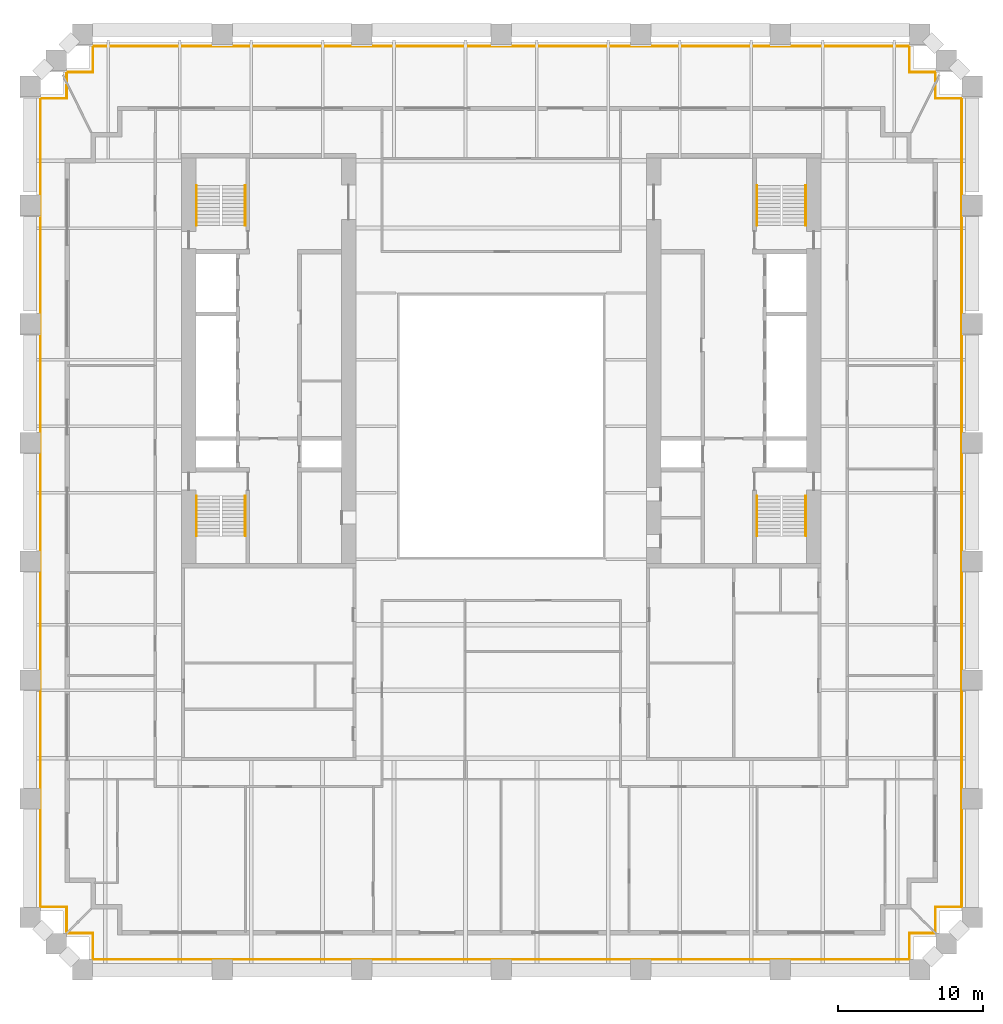
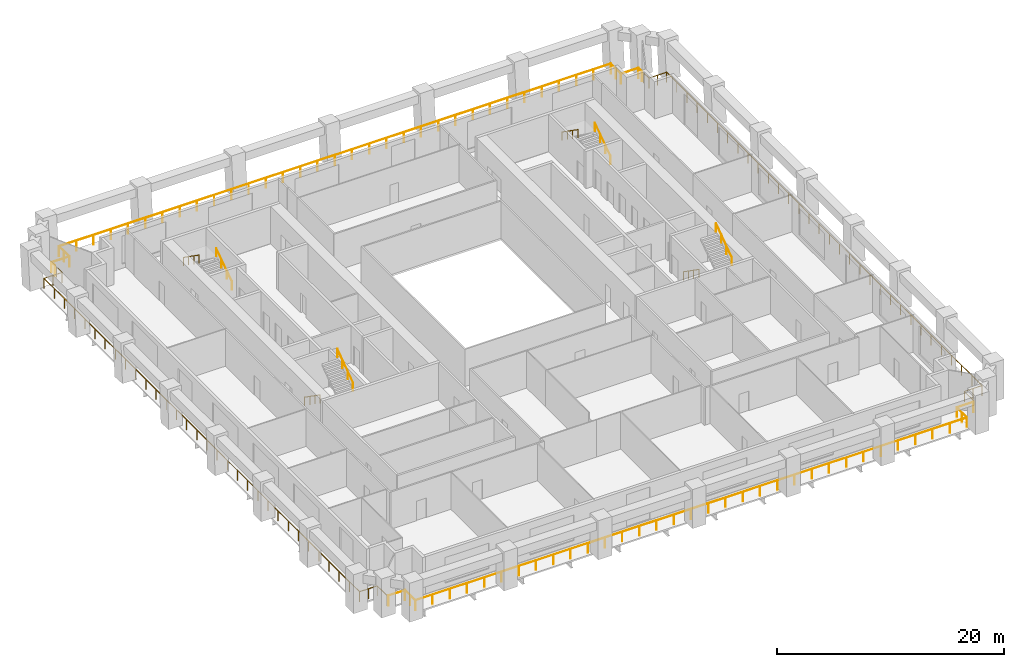
# One storey, part 9 of 9: 12 railings.
"""IFC4 building model written with IfcOpenShell, lengths in metres."""

from ifc_helpers import new_model, si_unit, direction, frame, origin, origin_2d, place, context, subcontext, project, spatial, circle, extrude, material, type_object, element, save


model = new_model("IFC4")

# Units and contexts
model_context = context("Model", 3, precision=1e-05, world=origin(), true_north=direction((0.0, 1.0)))
body_context = subcontext(model_context, "Body", "Model", "MODEL_VIEW")
ifc_project = project(units=[si_unit("LENGTHUNIT", "METRE"), si_unit("AREAUNIT", "SQUARE_METRE"), si_unit("VOLUMEUNIT", "CUBIC_METRE"), si_unit("PLANEANGLEUNIT", "RADIAN"), si_unit("MASSUNIT", "GRAM", prefix="KILO")], contexts=[model_context])

# Site, building, storey
site_placement = place(None, origin())
site = spatial("IfcSite", under=ifc_project, at=site_placement, CompositionType="ELEMENT")
building_placement = place(site_placement, origin())
building = spatial("IfcBuilding", under=site, at=building_placement, Name="Ogive Exchange Tower", CompositionType="ELEMENT")
storey_placement = place(building_placement, frame((0.0, 0.0, 60.60009765625)))
storey = spatial("IfcBuildingStorey", under=building, at=storey_placement, Name="L12", CompositionType="ELEMENT", Elevation=60.60009765625)

# Railings
ifc_material_1 = material(Name="Stainless steel 316", Category="steel")
railing_type_1 = type_object("IfcRailingType", Name="Guard 1100 stainless steel and glass", PredefinedType="GUARDRAIL", material=ifc_material_1)
railing_1_placement = place(storey_placement, frame((29.7880859375, -27.8798828125, -0.050048828125)))
element("IfcRailing", 1, at=railing_1_placement, inside=storey, type_object=railing_type_1, Name="Loggia guard 1", PredefinedType="GUARDRAIL", context=body_context, shape_type="SweptSolid", body=[
    extrude(circle(Radius=0.02392578125, at=origin_2d()), frame((0.0, 0.0, 1.076171875), z_axis=(-1.0, 0.0, 0.0), x_axis=(0.0, -1.0, 0.0)), (0.0, 0.0, 1.0), 1.7080078125),
    extrude(circle(Radius=0.02392578125, at=origin_2d()), frame((-1.7080078125, 0.0, 1.076171875), z_axis=(0.0, -1.0, 0.0), x_axis=(1.0, 0.0, 0.0)), (0.0, 0.0, 1.0), 1.800048828125),
    extrude(circle(Radius=0.02392578125, at=origin_2d()), frame((-1.7080078125, -1.800048828125, 1.076171875), z_axis=(-1.0, 0.0, 0.0), x_axis=(0.0, -1.0, 0.0)), (0.0, 0.0, 1.0), 56.16015625),
    extrude(circle(Radius=0.02392578125, at=origin_2d()), frame((-57.8681640625, -1.800048828125, 1.076171875), z_axis=(0.0, 1.0, 0.0), x_axis=(-1.0, 0.0, 0.0)), (0.0, 0.0, 1.0), 1.800048828125),
    extrude(circle(Radius=0.02392578125, at=origin_2d()), frame((-57.8681640625, 0.0, 1.076171875), z_axis=(-1.0, 0.0, 0.0), x_axis=(0.0, -1.0, 0.0)), (0.0, 0.0, 1.0), 1.7080078125),
    extrude(circle(Radius=0.02099609375, at=origin_2d()), origin(), (0.0, 0.0, 1.0), 1.052001953125),
    extrude(circle(Radius=0.02099609375, at=origin_2d()), frame((-1.7080078125, 0.0, 0.0)), (0.0, 0.0, 1.0), 1.052001953125),
    extrude(circle(Radius=0.02099609375, at=origin_2d()), frame((-1.7080078125, -0.89990234375, 0.0)), (0.0, 0.0, 1.0), 1.052001953125),
    extrude(circle(Radius=0.02099609375, at=origin_2d()), frame((-1.7080078125, -1.800048828125, 0.0)), (0.0, 0.0, 1.0), 1.052001953125),
    extrude(circle(Radius=0.02099609375, at=origin_2d()), frame((-3.462890625, -1.800048828125, 0.0)), (0.0, 0.0, 1.0), 1.052001953125),
    extrude(circle(Radius=0.02099609375, at=origin_2d()), frame((-5.218017578125, -1.800048828125, 0.0)), (0.0, 0.0, 1.0), 1.052001953125),
    extrude(circle(Radius=0.02099609375, at=origin_2d()), frame((-6.97314453125, -1.800048828125, 0.0)), (0.0, 0.0, 1.0), 1.052001953125),
    extrude(circle(Radius=0.02099609375, at=origin_2d()), frame((-8.72802734375, -1.800048828125, 0.0)), (0.0, 0.0, 1.0), 1.052001953125),
    extrude(circle(Radius=0.02099609375, at=origin_2d()), frame((-10.48291015625, -1.800048828125, 0.0)), (0.0, 0.0, 1.0), 1.052001953125),
    extrude(circle(Radius=0.02099609375, at=origin_2d()), frame((-12.238037109375, -1.800048828125, 0.0)), (0.0, 0.0, 1.0), 1.052001953125),
    extrude(circle(Radius=0.02099609375, at=origin_2d()), frame((-13.9931640625, -1.800048828125, 0.0)), (0.0, 0.0, 1.0), 1.052001953125),
    extrude(circle(Radius=0.02099609375, at=origin_2d()), frame((-15.748046875, -1.800048828125, 0.0)), (0.0, 0.0, 1.0), 1.052001953125),
    extrude(circle(Radius=0.02099609375, at=origin_2d()), frame((-17.5029296875, -1.800048828125, 0.0)), (0.0, 0.0, 1.0), 1.052001953125),
    extrude(circle(Radius=0.02099609375, at=origin_2d()), frame((-19.258056640625, -1.800048828125, 0.0)), (0.0, 0.0, 1.0), 1.052001953125),
    extrude(circle(Radius=0.02099609375, at=origin_2d()), frame((-21.01318359375, -1.800048828125, 0.0)), (0.0, 0.0, 1.0), 1.052001953125),
    extrude(circle(Radius=0.02099609375, at=origin_2d()), frame((-22.76806640625, -1.800048828125, 0.0)), (0.0, 0.0, 1.0), 1.052001953125),
    extrude(circle(Radius=0.02099609375, at=origin_2d()), frame((-24.52294921875, -1.800048828125, 0.0)), (0.0, 0.0, 1.0), 1.052001953125),
    extrude(circle(Radius=0.02099609375, at=origin_2d()), frame((-26.278076171875, -1.800048828125, 0.0)), (0.0, 0.0, 1.0), 1.052001953125),
    extrude(circle(Radius=0.02099609375, at=origin_2d()), frame((-28.033203125, -1.800048828125, 0.0)), (0.0, 0.0, 1.0), 1.052001953125),
    extrude(circle(Radius=0.02099609375, at=origin_2d()), frame((-29.7880859375, -1.800048828125, 0.0)), (0.0, 0.0, 1.0), 1.052001953125),
    extrude(circle(Radius=0.02099609375, at=origin_2d()), frame((-31.54296875, -1.800048828125, 0.0)), (0.0, 0.0, 1.0), 1.052001953125),
    extrude(circle(Radius=0.02099609375, at=origin_2d()), frame((-33.298095703125, -1.800048828125, 0.0)), (0.0, 0.0, 1.0), 1.052001953125),
    extrude(circle(Radius=0.02099609375, at=origin_2d()), frame((-35.05322265625, -1.800048828125, 0.0)), (0.0, 0.0, 1.0), 1.052001953125),
    extrude(circle(Radius=0.02099609375, at=origin_2d()), frame((-36.80810546875, -1.800048828125, 0.0)), (0.0, 0.0, 1.0), 1.052001953125),
    extrude(circle(Radius=0.02099609375, at=origin_2d()), frame((-38.56298828125, -1.800048828125, 0.0)), (0.0, 0.0, 1.0), 1.052001953125),
    extrude(circle(Radius=0.02099609375, at=origin_2d()), frame((-40.318115234375, -1.800048828125, 0.0)), (0.0, 0.0, 1.0), 1.052001953125),
    extrude(circle(Radius=0.02099609375, at=origin_2d()), frame((-42.0732421875, -1.800048828125, 0.0)), (0.0, 0.0, 1.0), 1.052001953125),
    extrude(circle(Radius=0.02099609375, at=origin_2d()), frame((-43.828125, -1.800048828125, 0.0)), (0.0, 0.0, 1.0), 1.052001953125),
    extrude(circle(Radius=0.02099609375, at=origin_2d()), frame((-45.5830078125, -1.800048828125, 0.0)), (0.0, 0.0, 1.0), 1.052001953125),
    extrude(circle(Radius=0.02099609375, at=origin_2d()), frame((-47.338134765625, -1.800048828125, 0.0)), (0.0, 0.0, 1.0), 1.052001953125),
    extrude(circle(Radius=0.02099609375, at=origin_2d()), frame((-49.09326171875, -1.800048828125, 0.0)), (0.0, 0.0, 1.0), 1.052001953125),
    extrude(circle(Radius=0.02099609375, at=origin_2d()), frame((-50.84814453125, -1.800048828125, 0.0)), (0.0, 0.0, 1.0), 1.052001953125),
    extrude(circle(Radius=0.02099609375, at=origin_2d()), frame((-52.60302734375, -1.800048828125, 0.0)), (0.0, 0.0, 1.0), 1.052001953125),
    extrude(circle(Radius=0.02099609375, at=origin_2d()), frame((-54.358154296875, -1.800048828125, 0.0)), (0.0, 0.0, 1.0), 1.052001953125),
    extrude(circle(Radius=0.02099609375, at=origin_2d()), frame((-56.11328125, -1.800048828125, 0.0)), (0.0, 0.0, 1.0), 1.052001953125),
    extrude(circle(Radius=0.02099609375, at=origin_2d()), frame((-57.8681640625, -1.800048828125, 0.0)), (0.0, 0.0, 1.0), 1.052001953125),
    extrude(circle(Radius=0.02099609375, at=origin_2d()), frame((-57.8681640625, -0.89990234375, 0.0)), (0.0, 0.0, 1.0), 1.052001953125),
    extrude(circle(Radius=0.02099609375, at=origin_2d()), frame((-57.8681640625, 0.0, 0.0)), (0.0, 0.0, 1.0), 1.052001953125),
    extrude(circle(Radius=0.02099609375, at=origin_2d()), frame((-59.576171875, 0.0, 0.0)), (0.0, 0.0, 1.0), 1.052001953125),
])
railing_2_placement = place(storey_placement, frame((-29.8798828125, -27.7880859375, -0.050048828125)))
element("IfcRailing", 2, at=railing_2_placement, inside=storey, type_object=railing_type_1, Name="Loggia guard 2", PredefinedType="GUARDRAIL", context=body_context, shape_type="SweptSolid", body=[
    extrude(circle(Radius=0.02392578125, at=origin_2d()), frame((0.0, 0.0, 1.076171875), z_axis=(0.0, 1.0, 0.0), x_axis=(-1.0, 0.0, 0.0)), (0.0, 0.0, 1.0), 1.7080078125),
    extrude(circle(Radius=0.02392578125, at=origin_2d()), frame((0.0, 1.7080078125, 1.076171875), z_axis=(-1.0, 0.0, 0.0), x_axis=(0.0, -1.0, 0.0)), (0.0, 0.0, 1.0), 1.800048828125),
    extrude(circle(Radius=0.02392578125, at=origin_2d()), frame((-1.800048828125, 1.7080078125, 1.076171875), z_axis=(0.0, 1.0, 0.0), x_axis=(-1.0, 0.0, 0.0)), (0.0, 0.0, 1.0), 55.614501953125),
    extrude(circle(Radius=0.02392578125, at=origin_2d()), frame((-1.800048828125, 57.322509765625, 1.076171875), z_axis=(1.0, 0.0, 0.0), x_axis=(0.0, 1.0, 0.0)), (0.0, 0.0, 1.0), 1.800048828125),
    extrude(circle(Radius=0.02392578125, at=origin_2d()), frame((0.0, 57.322509765625, 1.076171875), z_axis=(0.0, 1.0, 0.0), x_axis=(-1.0, 0.0, 0.0)), (0.0, 0.0, 1.0), 0.9169921875),
    extrude(circle(Radius=0.02099609375, at=origin_2d()), origin(), (0.0, 0.0, 1.0), 1.052001953125),
    extrude(circle(Radius=0.02099609375, at=origin_2d()), frame((0.0, 1.7080078125, 0.0)), (0.0, 0.0, 1.0), 1.052001953125),
    extrude(circle(Radius=0.02099609375, at=origin_2d()), frame((-0.89990234375, 1.7080078125, 0.0)), (0.0, 0.0, 1.0), 1.052001953125),
    extrude(circle(Radius=0.02099609375, at=origin_2d()), frame((-1.800048828125, 1.7080078125, 0.0)), (0.0, 0.0, 1.0), 1.052001953125),
    extrude(circle(Radius=0.02099609375, at=origin_2d()), frame((-1.800048828125, 3.501953125, 0.0)), (0.0, 0.0, 1.0), 1.052001953125),
    extrude(circle(Radius=0.02099609375, at=origin_2d()), frame((-1.800048828125, 5.296142578125, 0.0)), (0.0, 0.0, 1.0), 1.052001953125),
    extrude(circle(Radius=0.02099609375, at=origin_2d()), frame((-1.800048828125, 7.090087890625, 0.0)), (0.0, 0.0, 1.0), 1.052001953125),
    extrude(circle(Radius=0.02099609375, at=origin_2d()), frame((-1.800048828125, 8.884033203125, 0.0)), (0.0, 0.0, 1.0), 1.052001953125),
    extrude(circle(Radius=0.02099609375, at=origin_2d()), frame((-1.800048828125, 10.677978515625, 0.0)), (0.0, 0.0, 1.0), 1.052001953125),
    extrude(circle(Radius=0.02099609375, at=origin_2d()), frame((-1.800048828125, 12.47216796875, 0.0)), (0.0, 0.0, 1.0), 1.052001953125),
    extrude(circle(Radius=0.02099609375, at=origin_2d()), frame((-1.800048828125, 14.26611328125, 0.0)), (0.0, 0.0, 1.0), 1.052001953125),
    extrude(circle(Radius=0.02099609375, at=origin_2d()), frame((-1.800048828125, 16.06005859375, 0.0)), (0.0, 0.0, 1.0), 1.052001953125),
    extrude(circle(Radius=0.02099609375, at=origin_2d()), frame((-1.800048828125, 17.854248046875, 0.0)), (0.0, 0.0, 1.0), 1.052001953125),
    extrude(circle(Radius=0.02099609375, at=origin_2d()), frame((-1.800048828125, 19.648193359375, 0.0)), (0.0, 0.0, 1.0), 1.052001953125),
    extrude(circle(Radius=0.02099609375, at=origin_2d()), frame((-1.800048828125, 21.442138671875, 0.0)), (0.0, 0.0, 1.0), 1.052001953125),
    extrude(circle(Radius=0.02099609375, at=origin_2d()), frame((-1.800048828125, 23.236083984375, 0.0)), (0.0, 0.0, 1.0), 1.052001953125),
    extrude(circle(Radius=0.02099609375, at=origin_2d()), frame((-1.800048828125, 25.0302734375, 0.0)), (0.0, 0.0, 1.0), 1.052001953125),
    extrude(circle(Radius=0.02099609375, at=origin_2d()), frame((-1.800048828125, 26.82421875, 0.0)), (0.0, 0.0, 1.0), 1.052001953125),
    extrude(circle(Radius=0.02099609375, at=origin_2d()), frame((-1.800048828125, 28.6181640625, 0.0)), (0.0, 0.0, 1.0), 1.052001953125),
    extrude(circle(Radius=0.02099609375, at=origin_2d()), frame((-1.800048828125, 30.412353515625, 0.0)), (0.0, 0.0, 1.0), 1.052001953125),
    extrude(circle(Radius=0.02099609375, at=origin_2d()), frame((-1.800048828125, 32.206298828125, 0.0)), (0.0, 0.0, 1.0), 1.052001953125),
    extrude(circle(Radius=0.02099609375, at=origin_2d()), frame((-1.800048828125, 34.000244140625, 0.0)), (0.0, 0.0, 1.0), 1.052001953125),
    extrude(circle(Radius=0.02099609375, at=origin_2d()), frame((-1.800048828125, 35.79443359375, 0.0)), (0.0, 0.0, 1.0), 1.052001953125),
    extrude(circle(Radius=0.02099609375, at=origin_2d()), frame((-1.800048828125, 37.58837890625, 0.0)), (0.0, 0.0, 1.0), 1.052001953125),
    extrude(circle(Radius=0.02099609375, at=origin_2d()), frame((-1.800048828125, 39.38232421875, 0.0)), (0.0, 0.0, 1.0), 1.052001953125),
    extrude(circle(Radius=0.02099609375, at=origin_2d()), frame((-1.800048828125, 41.17626953125, 0.0)), (0.0, 0.0, 1.0), 1.052001953125),
    extrude(circle(Radius=0.02099609375, at=origin_2d()), frame((-1.800048828125, 42.970458984375, 0.0)), (0.0, 0.0, 1.0), 1.052001953125),
    extrude(circle(Radius=0.02099609375, at=origin_2d()), frame((-1.800048828125, 44.764404296875, 0.0)), (0.0, 0.0, 1.0), 1.052001953125),
    extrude(circle(Radius=0.02099609375, at=origin_2d()), frame((-1.800048828125, 46.558349609375, 0.0)), (0.0, 0.0, 1.0), 1.052001953125),
    extrude(circle(Radius=0.02099609375, at=origin_2d()), frame((-1.800048828125, 48.3525390625, 0.0)), (0.0, 0.0, 1.0), 1.052001953125),
    extrude(circle(Radius=0.02099609375, at=origin_2d()), frame((-1.800048828125, 50.146484375, 0.0)), (0.0, 0.0, 1.0), 1.052001953125),
    extrude(circle(Radius=0.02099609375, at=origin_2d()), frame((-1.800048828125, 51.9404296875, 0.0)), (0.0, 0.0, 1.0), 1.052001953125),
    extrude(circle(Radius=0.02099609375, at=origin_2d()), frame((-1.800048828125, 53.734375, 0.0)), (0.0, 0.0, 1.0), 1.052001953125),
    extrude(circle(Radius=0.02099609375, at=origin_2d()), frame((-1.800048828125, 55.528564453125, 0.0)), (0.0, 0.0, 1.0), 1.052001953125),
    extrude(circle(Radius=0.02099609375, at=origin_2d()), frame((-1.800048828125, 57.322509765625, 0.0)), (0.0, 0.0, 1.0), 1.052001953125),
    extrude(circle(Radius=0.02099609375, at=origin_2d()), frame((-0.89990234375, 57.322509765625, 0.0)), (0.0, 0.0, 1.0), 1.052001953125),
    extrude(circle(Radius=0.02099609375, at=origin_2d()), frame((0.0, 57.322509765625, 0.0)), (0.0, 0.0, 1.0), 1.052001953125),
    extrude(circle(Radius=0.02099609375, at=origin_2d()), frame((0.0, 58.239501953125, 0.0)), (0.0, 0.0, 1.0), 1.052001953125),
])
railing_3_placement = place(storey_placement, frame((-29.8798828125, 30.744873046875, -0.050048828125)))
element("IfcRailing", 3, at=railing_3_placement, inside=storey, type_object=railing_type_1, Name="Loggia guard 3", PredefinedType="GUARDRAIL", context=body_context, shape_type="SweptSolid", body=[
    extrude(circle(Radius=0.02392578125, at=origin_2d()), frame((0.0, 0.0, 1.076171875), z_axis=(0.0, 1.0, 0.0), x_axis=(-1.0, 0.0, 0.0)), (0.0, 0.0, 1.0), 0.589599609375),
    extrude(circle(Radius=0.02392578125, at=origin_2d()), frame((0.0, 0.589599609375, 1.076171875), z_axis=(1.0, 0.0, 0.0), x_axis=(0.0, 1.0, 0.0)), (0.0, 0.0, 1.0), 1.7998046875),
    extrude(circle(Radius=0.02392578125, at=origin_2d()), frame((1.7998046875, 0.589599609375, 1.076171875), z_axis=(0.0, 1.0, 0.0), x_axis=(-1.0, 0.0, 0.0)), (0.0, 0.0, 1.0), 1.800048828125),
    extrude(circle(Radius=0.02392578125, at=origin_2d()), frame((1.7998046875, 2.3896484375, 1.076171875), z_axis=(1.0, 0.0, 0.0), x_axis=(0.0, 1.0, 0.0)), (0.0, 0.0, 1.0), 56.16015625),
    extrude(circle(Radius=0.02392578125, at=origin_2d()), frame((57.9599609375, 2.3896484375, 1.076171875), z_axis=(0.0, -1.0, 0.0), x_axis=(1.0, 0.0, 0.0)), (0.0, 0.0, 1.0), 1.800048828125),
    extrude(circle(Radius=0.02392578125, at=origin_2d()), frame((57.9599609375, 0.589599609375, 1.076171875), z_axis=(1.0, 0.0, 0.0), x_axis=(0.0, 1.0, 0.0)), (0.0, 0.0, 1.0), 1.7998046875),
    extrude(circle(Radius=0.02392578125, at=origin_2d()), frame((59.759765625, 0.589599609375, 1.076171875), z_axis=(0.0, -1.0, 0.0), x_axis=(1.0, 0.0, 0.0)), (0.0, 0.0, 1.0), 0.589599609375),
    extrude(circle(Radius=0.02099609375, at=origin_2d()), origin(), (0.0, 0.0, 1.0), 1.052001953125),
    extrude(circle(Radius=0.02099609375, at=origin_2d()), frame((0.0, 0.589599609375, 0.0)), (0.0, 0.0, 1.0), 1.052001953125),
    extrude(circle(Radius=0.02099609375, at=origin_2d()), frame((1.7998046875, 0.589599609375, 0.0)), (0.0, 0.0, 1.0), 1.052001953125),
    extrude(circle(Radius=0.02099609375, at=origin_2d()), frame((1.7998046875, 1.48974609375, 0.0)), (0.0, 0.0, 1.0), 1.052001953125),
    extrude(circle(Radius=0.02099609375, at=origin_2d()), frame((1.7998046875, 2.3896484375, 0.0)), (0.0, 0.0, 1.0), 1.052001953125),
    extrude(circle(Radius=0.02099609375, at=origin_2d()), frame((3.5546875, 2.3896484375, 0.0)), (0.0, 0.0, 1.0), 1.052001953125),
    extrude(circle(Radius=0.02099609375, at=origin_2d()), frame((5.309814453125, 2.3896484375, 0.0)), (0.0, 0.0, 1.0), 1.052001953125),
    extrude(circle(Radius=0.02099609375, at=origin_2d()), frame((7.06494140625, 2.3896484375, 0.0)), (0.0, 0.0, 1.0), 1.052001953125),
    extrude(circle(Radius=0.02099609375, at=origin_2d()), frame((8.81982421875, 2.3896484375, 0.0)), (0.0, 0.0, 1.0), 1.052001953125),
    extrude(circle(Radius=0.02099609375, at=origin_2d()), frame((10.57470703125, 2.3896484375, 0.0)), (0.0, 0.0, 1.0), 1.052001953125),
    extrude(circle(Radius=0.02099609375, at=origin_2d()), frame((12.329833984375, 2.3896484375, 0.0)), (0.0, 0.0, 1.0), 1.052001953125),
    extrude(circle(Radius=0.02099609375, at=origin_2d()), frame((14.0849609375, 2.3896484375, 0.0)), (0.0, 0.0, 1.0), 1.052001953125),
    extrude(circle(Radius=0.02099609375, at=origin_2d()), frame((15.83984375, 2.3896484375, 0.0)), (0.0, 0.0, 1.0), 1.052001953125),
    extrude(circle(Radius=0.02099609375, at=origin_2d()), frame((17.5947265625, 2.3896484375, 0.0)), (0.0, 0.0, 1.0), 1.052001953125),
    extrude(circle(Radius=0.02099609375, at=origin_2d()), frame((19.349853515625, 2.3896484375, 0.0)), (0.0, 0.0, 1.0), 1.052001953125),
    extrude(circle(Radius=0.02099609375, at=origin_2d()), frame((21.10498046875, 2.3896484375, 0.0)), (0.0, 0.0, 1.0), 1.052001953125),
    extrude(circle(Radius=0.02099609375, at=origin_2d()), frame((22.85986328125, 2.3896484375, 0.0)), (0.0, 0.0, 1.0), 1.052001953125),
    extrude(circle(Radius=0.02099609375, at=origin_2d()), frame((24.61474609375, 2.3896484375, 0.0)), (0.0, 0.0, 1.0), 1.052001953125),
    extrude(circle(Radius=0.02099609375, at=origin_2d()), frame((26.369873046875, 2.3896484375, 0.0)), (0.0, 0.0, 1.0), 1.052001953125),
    extrude(circle(Radius=0.02099609375, at=origin_2d()), frame((28.125, 2.3896484375, 0.0)), (0.0, 0.0, 1.0), 1.052001953125),
    extrude(circle(Radius=0.02099609375, at=origin_2d()), frame((29.8798828125, 2.3896484375, 0.0)), (0.0, 0.0, 1.0), 1.052001953125),
    extrude(circle(Radius=0.02099609375, at=origin_2d()), frame((31.634765625, 2.3896484375, 0.0)), (0.0, 0.0, 1.0), 1.052001953125),
    extrude(circle(Radius=0.02099609375, at=origin_2d()), frame((33.389892578125, 2.3896484375, 0.0)), (0.0, 0.0, 1.0), 1.052001953125),
    extrude(circle(Radius=0.02099609375, at=origin_2d()), frame((35.14501953125, 2.3896484375, 0.0)), (0.0, 0.0, 1.0), 1.052001953125),
    extrude(circle(Radius=0.02099609375, at=origin_2d()), frame((36.89990234375, 2.3896484375, 0.0)), (0.0, 0.0, 1.0), 1.052001953125),
    extrude(circle(Radius=0.02099609375, at=origin_2d()), frame((38.65478515625, 2.3896484375, 0.0)), (0.0, 0.0, 1.0), 1.052001953125),
    extrude(circle(Radius=0.02099609375, at=origin_2d()), frame((40.409912109375, 2.3896484375, 0.0)), (0.0, 0.0, 1.0), 1.052001953125),
    extrude(circle(Radius=0.02099609375, at=origin_2d()), frame((42.1650390625, 2.3896484375, 0.0)), (0.0, 0.0, 1.0), 1.052001953125),
    extrude(circle(Radius=0.02099609375, at=origin_2d()), frame((43.919921875, 2.3896484375, 0.0)), (0.0, 0.0, 1.0), 1.052001953125),
    extrude(circle(Radius=0.02099609375, at=origin_2d()), frame((45.6748046875, 2.3896484375, 0.0)), (0.0, 0.0, 1.0), 1.052001953125),
    extrude(circle(Radius=0.02099609375, at=origin_2d()), frame((47.429931640625, 2.3896484375, 0.0)), (0.0, 0.0, 1.0), 1.052001953125),
    extrude(circle(Radius=0.02099609375, at=origin_2d()), frame((49.18505859375, 2.3896484375, 0.0)), (0.0, 0.0, 1.0), 1.052001953125),
    extrude(circle(Radius=0.02099609375, at=origin_2d()), frame((50.93994140625, 2.3896484375, 0.0)), (0.0, 0.0, 1.0), 1.052001953125),
    extrude(circle(Radius=0.02099609375, at=origin_2d()), frame((52.69482421875, 2.3896484375, 0.0)), (0.0, 0.0, 1.0), 1.052001953125),
    extrude(circle(Radius=0.02099609375, at=origin_2d()), frame((54.449951171875, 2.3896484375, 0.0)), (0.0, 0.0, 1.0), 1.052001953125),
    extrude(circle(Radius=0.02099609375, at=origin_2d()), frame((56.205078125, 2.3896484375, 0.0)), (0.0, 0.0, 1.0), 1.052001953125),
    extrude(circle(Radius=0.02099609375, at=origin_2d()), frame((57.9599609375, 2.3896484375, 0.0)), (0.0, 0.0, 1.0), 1.052001953125),
    extrude(circle(Radius=0.02099609375, at=origin_2d()), frame((57.9599609375, 1.48974609375, 0.0)), (0.0, 0.0, 1.0), 1.052001953125),
    extrude(circle(Radius=0.02099609375, at=origin_2d()), frame((57.9599609375, 0.589599609375, 0.0)), (0.0, 0.0, 1.0), 1.052001953125),
    extrude(circle(Radius=0.02099609375, at=origin_2d()), frame((59.759765625, 0.589599609375, 0.0)), (0.0, 0.0, 1.0), 1.052001953125),
    extrude(circle(Radius=0.02099609375, at=origin_2d()), frame((59.759765625, 0.0, 0.0)), (0.0, 0.0, 1.0), 1.052001953125),
])
railing_4_placement = place(storey_placement, frame((29.8798828125, 30.451416015625, -0.050048828125)))
element("IfcRailing", 4, at=railing_4_placement, inside=storey, type_object=railing_type_1, Name="Loggia guard 4", PredefinedType="GUARDRAIL", context=body_context, shape_type="SweptSolid", body=[
    extrude(circle(Radius=0.02392578125, at=origin_2d()), frame((0.0, 0.0, 1.076171875), z_axis=(0.0, -1.0, 0.0), x_axis=(1.0, 0.0, 0.0)), (0.0, 0.0, 1.0), 0.9169921875),
    extrude(circle(Radius=0.02392578125, at=origin_2d()), frame((0.0, -0.9169921875, 1.076171875), z_axis=(1.0, 0.0, 0.0), x_axis=(0.0, 1.0, 0.0)), (0.0, 0.0, 1.0), 1.800048828125),
    extrude(circle(Radius=0.02392578125, at=origin_2d()), frame((1.800048828125, -0.9169921875, 1.076171875), z_axis=(0.0, -1.0, 0.0), x_axis=(1.0, 0.0, 0.0)), (0.0, 0.0, 1.0), 55.614501953125),
    extrude(circle(Radius=0.02392578125, at=origin_2d()), frame((1.800048828125, -56.531494140625, 1.076171875), z_axis=(-1.0, 0.0, 0.0), x_axis=(0.0, -1.0, 0.0)), (0.0, 0.0, 1.0), 1.800048828125),
    extrude(circle(Radius=0.02392578125, at=origin_2d()), frame((0.0, -56.531494140625, 1.076171875), z_axis=(0.0, -1.0, 0.0), x_axis=(1.0, 0.0, 0.0)), (0.0, 0.0, 1.0), 1.7080078125),
    extrude(circle(Radius=0.02099609375, at=origin_2d()), origin(), (0.0, 0.0, 1.0), 1.052001953125),
    extrude(circle(Radius=0.02099609375, at=origin_2d()), frame((0.0, -0.9169921875, 0.0)), (0.0, 0.0, 1.0), 1.052001953125),
    extrude(circle(Radius=0.02099609375, at=origin_2d()), frame((0.89990234375, -0.9169921875, 0.0)), (0.0, 0.0, 1.0), 1.052001953125),
    extrude(circle(Radius=0.02099609375, at=origin_2d()), frame((1.800048828125, -0.9169921875, 0.0)), (0.0, 0.0, 1.0), 1.052001953125),
    extrude(circle(Radius=0.02099609375, at=origin_2d()), frame((1.800048828125, -2.7109375, 0.0)), (0.0, 0.0, 1.0), 1.052001953125),
    extrude(circle(Radius=0.02099609375, at=origin_2d()), frame((1.800048828125, -4.505126953125, 0.0)), (0.0, 0.0, 1.0), 1.052001953125),
    extrude(circle(Radius=0.02099609375, at=origin_2d()), frame((1.800048828125, -6.299072265625, 0.0)), (0.0, 0.0, 1.0), 1.052001953125),
    extrude(circle(Radius=0.02099609375, at=origin_2d()), frame((1.800048828125, -8.093017578125, 0.0)), (0.0, 0.0, 1.0), 1.052001953125),
    extrude(circle(Radius=0.02099609375, at=origin_2d()), frame((1.800048828125, -9.886962890625, 0.0)), (0.0, 0.0, 1.0), 1.052001953125),
    extrude(circle(Radius=0.02099609375, at=origin_2d()), frame((1.800048828125, -11.68115234375, 0.0)), (0.0, 0.0, 1.0), 1.052001953125),
    extrude(circle(Radius=0.02099609375, at=origin_2d()), frame((1.800048828125, -13.47509765625, 0.0)), (0.0, 0.0, 1.0), 1.052001953125),
    extrude(circle(Radius=0.02099609375, at=origin_2d()), frame((1.800048828125, -15.26904296875, 0.0)), (0.0, 0.0, 1.0), 1.052001953125),
    extrude(circle(Radius=0.02099609375, at=origin_2d()), frame((1.800048828125, -17.063232421875, 0.0)), (0.0, 0.0, 1.0), 1.052001953125),
    extrude(circle(Radius=0.02099609375, at=origin_2d()), frame((1.800048828125, -18.857177734375, 0.0)), (0.0, 0.0, 1.0), 1.052001953125),
    extrude(circle(Radius=0.02099609375, at=origin_2d()), frame((1.800048828125, -20.651123046875, 0.0)), (0.0, 0.0, 1.0), 1.052001953125),
    extrude(circle(Radius=0.02099609375, at=origin_2d()), frame((1.800048828125, -22.445068359375, 0.0)), (0.0, 0.0, 1.0), 1.052001953125),
    extrude(circle(Radius=0.02099609375, at=origin_2d()), frame((1.800048828125, -24.2392578125, 0.0)), (0.0, 0.0, 1.0), 1.052001953125),
    extrude(circle(Radius=0.02099609375, at=origin_2d()), frame((1.800048828125, -26.033203125, 0.0)), (0.0, 0.0, 1.0), 1.052001953125),
    extrude(circle(Radius=0.02099609375, at=origin_2d()), frame((1.800048828125, -27.8271484375, 0.0)), (0.0, 0.0, 1.0), 1.052001953125),
    extrude(circle(Radius=0.02099609375, at=origin_2d()), frame((1.800048828125, -29.621337890625, 0.0)), (0.0, 0.0, 1.0), 1.052001953125),
    extrude(circle(Radius=0.02099609375, at=origin_2d()), frame((1.800048828125, -31.415283203125, 0.0)), (0.0, 0.0, 1.0), 1.052001953125),
    extrude(circle(Radius=0.02099609375, at=origin_2d()), frame((1.800048828125, -33.209228515625, 0.0)), (0.0, 0.0, 1.0), 1.052001953125),
    extrude(circle(Radius=0.02099609375, at=origin_2d()), frame((1.800048828125, -35.00341796875, 0.0)), (0.0, 0.0, 1.0), 1.052001953125),
    extrude(circle(Radius=0.02099609375, at=origin_2d()), frame((1.800048828125, -36.79736328125, 0.0)), (0.0, 0.0, 1.0), 1.052001953125),
    extrude(circle(Radius=0.02099609375, at=origin_2d()), frame((1.800048828125, -38.59130859375, 0.0)), (0.0, 0.0, 1.0), 1.052001953125),
    extrude(circle(Radius=0.02099609375, at=origin_2d()), frame((1.800048828125, -40.38525390625, 0.0)), (0.0, 0.0, 1.0), 1.052001953125),
    extrude(circle(Radius=0.02099609375, at=origin_2d()), frame((1.800048828125, -42.179443359375, 0.0)), (0.0, 0.0, 1.0), 1.052001953125),
    extrude(circle(Radius=0.02099609375, at=origin_2d()), frame((1.800048828125, -43.973388671875, 0.0)), (0.0, 0.0, 1.0), 1.052001953125),
    extrude(circle(Radius=0.02099609375, at=origin_2d()), frame((1.800048828125, -45.767333984375, 0.0)), (0.0, 0.0, 1.0), 1.052001953125),
    extrude(circle(Radius=0.02099609375, at=origin_2d()), frame((1.800048828125, -47.5615234375, 0.0)), (0.0, 0.0, 1.0), 1.052001953125),
    extrude(circle(Radius=0.02099609375, at=origin_2d()), frame((1.800048828125, -49.35546875, 0.0)), (0.0, 0.0, 1.0), 1.052001953125),
    extrude(circle(Radius=0.02099609375, at=origin_2d()), frame((1.800048828125, -51.1494140625, 0.0)), (0.0, 0.0, 1.0), 1.052001953125),
    extrude(circle(Radius=0.02099609375, at=origin_2d()), frame((1.800048828125, -52.943359375, 0.0)), (0.0, 0.0, 1.0), 1.052001953125),
    extrude(circle(Radius=0.02099609375, at=origin_2d()), frame((1.800048828125, -54.737548828125, 0.0)), (0.0, 0.0, 1.0), 1.052001953125),
    extrude(circle(Radius=0.02099609375, at=origin_2d()), frame((1.800048828125, -56.531494140625, 0.0)), (0.0, 0.0, 1.0), 1.052001953125),
    extrude(circle(Radius=0.02099609375, at=origin_2d()), frame((0.89990234375, -56.531494140625, 0.0)), (0.0, 0.0, 1.0), 1.052001953125),
    extrude(circle(Radius=0.02099609375, at=origin_2d()), frame((0.0, -56.531494140625, 0.0)), (0.0, 0.0, 1.0), 1.052001953125),
    extrude(circle(Radius=0.02099609375, at=origin_2d()), frame((0.0, -58.239501953125, 0.0)), (0.0, 0.0, 1.0), 1.052001953125),
])
ifc_material_2 = material(Name="Stainless steel", Category="steel")
railing_type_2 = type_object("IfcRailingType", Name="Stair handrail 900", PredefinedType="HANDRAIL", material=ifc_material_2)
railing_5_placement = place(storey_placement, frame((-20.949951171875, 2.199951171875, 0.1748046875)))
element("IfcRailing", 5, at=railing_5_placement, inside=storey, type_object=railing_type_2, Name="L12 ST1 stair handrail 1", PredefinedType="HANDRAIL", context=body_context, shape_type="SweptSolid", body=[
    extrude(circle(Radius=0.02392578125, at=origin_2d()), frame((0.0, 0.0, 0.8759765625), z_axis=(0.0, -0.819225086817, 0.573472106672), x_axis=(1.0, 0.0, 0.0)), (0.0, 0.0, 1.0), 3.35693359375),
    extrude(circle(Radius=0.02099609375, at=origin_2d()), origin(), (0.0, 0.0, 1.0), 0.851806640625),
    extrude(circle(Radius=0.02099609375, at=origin_2d()), frame((0.0, -0.916748046875, 0.6416015625)), (0.0, 0.0, 1.0), 0.851806640625),
    extrude(circle(Radius=0.02099609375, at=origin_2d()), frame((0.0, -1.833251953125, 1.283447265625)), (0.0, 0.0, 1.0), 0.851806640625),
    extrude(circle(Radius=0.02099609375, at=origin_2d()), frame((0.0, -2.75, 1.925048828125)), (0.0, 0.0, 1.0), 0.851806640625),
])
for number, where, name in (
    (6, (-17.60009765625, -0.550048828125, 2.27490234375), "L12 ST1 stair handrail 2"),
    (7, (-17.60009765625, 20.800048828125, 0.1748046875), "L12 ST2 stair handrail 1"),
):
    element("IfcRailing", number, at=place(storey_placement, frame(where)), inside=storey, type_object=railing_type_2, Name=name, PredefinedType="HANDRAIL", context=body_context, shape_type="SweptSolid", body=[
        extrude(circle(Radius=0.02392578125, at=origin_2d()), frame((0.0, 0.0, 0.8759765625), z_axis=(0.0, 0.819225086817, 0.573472106672), x_axis=(-1.0, 0.0, 0.0)), (0.0, 0.0, 1.0), 3.35693359375),
        extrude(circle(Radius=0.02099609375, at=origin_2d()), origin(), (0.0, 0.0, 1.0), 0.851806640625),
        extrude(circle(Radius=0.02099609375, at=origin_2d()), frame((0.0, 0.916748046875, 0.6416015625)), (0.0, 0.0, 1.0), 0.851806640625),
        extrude(circle(Radius=0.02099609375, at=origin_2d()), frame((0.0, 1.833251953125, 1.283447265625)), (0.0, 0.0, 1.0), 0.851806640625),
        extrude(circle(Radius=0.02099609375, at=origin_2d()), frame((0.0, 2.75, 1.925048828125)), (0.0, 0.0, 1.0), 0.851806640625),
    ])
for number, where, name in (
    (8, (-20.949951171875, 23.550048828125, 2.27490234375), "L12 ST2 stair handrail 2"),
    (9, (17.60009765625, 2.199951171875, 0.1748046875), "L12 ST3 stair handrail 1"),
):
    element("IfcRailing", number, at=place(storey_placement, frame(where)), inside=storey, type_object=railing_type_2, Name=name, PredefinedType="HANDRAIL", context=body_context, shape_type="SweptSolid", body=[
        extrude(circle(Radius=0.02392578125, at=origin_2d()), frame((0.0, 0.0, 0.8759765625), z_axis=(0.0, -0.819225086817, 0.573472106672), x_axis=(1.0, 0.0, 0.0)), (0.0, 0.0, 1.0), 3.35693359375),
        extrude(circle(Radius=0.02099609375, at=origin_2d()), origin(), (0.0, 0.0, 1.0), 0.851806640625),
        extrude(circle(Radius=0.02099609375, at=origin_2d()), frame((0.0, -0.916748046875, 0.6416015625)), (0.0, 0.0, 1.0), 0.851806640625),
        extrude(circle(Radius=0.02099609375, at=origin_2d()), frame((0.0, -1.833251953125, 1.283447265625)), (0.0, 0.0, 1.0), 0.851806640625),
        extrude(circle(Radius=0.02099609375, at=origin_2d()), frame((0.0, -2.75, 1.925048828125)), (0.0, 0.0, 1.0), 0.851806640625),
    ])
for number, where, name in (
    (10, (20.949951171875, -0.550048828125, 2.27490234375), "L12 ST3 stair handrail 2"),
    (11, (20.949951171875, 20.800048828125, 0.1748046875), "L12 ST4 stair handrail 1"),
):
    element("IfcRailing", number, at=place(storey_placement, frame(where)), inside=storey, type_object=railing_type_2, Name=name, PredefinedType="HANDRAIL", context=body_context, shape_type="SweptSolid", body=[
        extrude(circle(Radius=0.02392578125, at=origin_2d()), frame((0.0, 0.0, 0.8759765625), z_axis=(0.0, 0.819225086817, 0.573472106672), x_axis=(-1.0, 0.0, 0.0)), (0.0, 0.0, 1.0), 3.35693359375),
        extrude(circle(Radius=0.02099609375, at=origin_2d()), origin(), (0.0, 0.0, 1.0), 0.851806640625),
        extrude(circle(Radius=0.02099609375, at=origin_2d()), frame((0.0, 0.916748046875, 0.6416015625)), (0.0, 0.0, 1.0), 0.851806640625),
        extrude(circle(Radius=0.02099609375, at=origin_2d()), frame((0.0, 1.833251953125, 1.283447265625)), (0.0, 0.0, 1.0), 0.851806640625),
        extrude(circle(Radius=0.02099609375, at=origin_2d()), frame((0.0, 2.75, 1.925048828125)), (0.0, 0.0, 1.0), 0.851806640625),
    ])
railing_6_placement = place(storey_placement, frame((17.60009765625, 23.550048828125, 2.27490234375)))
element("IfcRailing", 12, at=railing_6_placement, inside=storey, type_object=railing_type_2, Name="L12 ST4 stair handrail 2", PredefinedType="HANDRAIL", context=body_context, shape_type="SweptSolid", body=[
    extrude(circle(Radius=0.02392578125, at=origin_2d()), frame((0.0, 0.0, 0.8759765625), z_axis=(0.0, -0.819225086817, 0.573472106672), x_axis=(1.0, 0.0, 0.0)), (0.0, 0.0, 1.0), 3.35693359375),
    extrude(circle(Radius=0.02099609375, at=origin_2d()), origin(), (0.0, 0.0, 1.0), 0.851806640625),
    extrude(circle(Radius=0.02099609375, at=origin_2d()), frame((0.0, -0.916748046875, 0.6416015625)), (0.0, 0.0, 1.0), 0.851806640625),
    extrude(circle(Radius=0.02099609375, at=origin_2d()), frame((0.0, -1.833251953125, 1.283447265625)), (0.0, 0.0, 1.0), 0.851806640625),
    extrude(circle(Radius=0.02099609375, at=origin_2d()), frame((0.0, -2.75, 1.925048828125)), (0.0, 0.0, 1.0), 0.851806640625),
])

save(model, "model.ifc")
